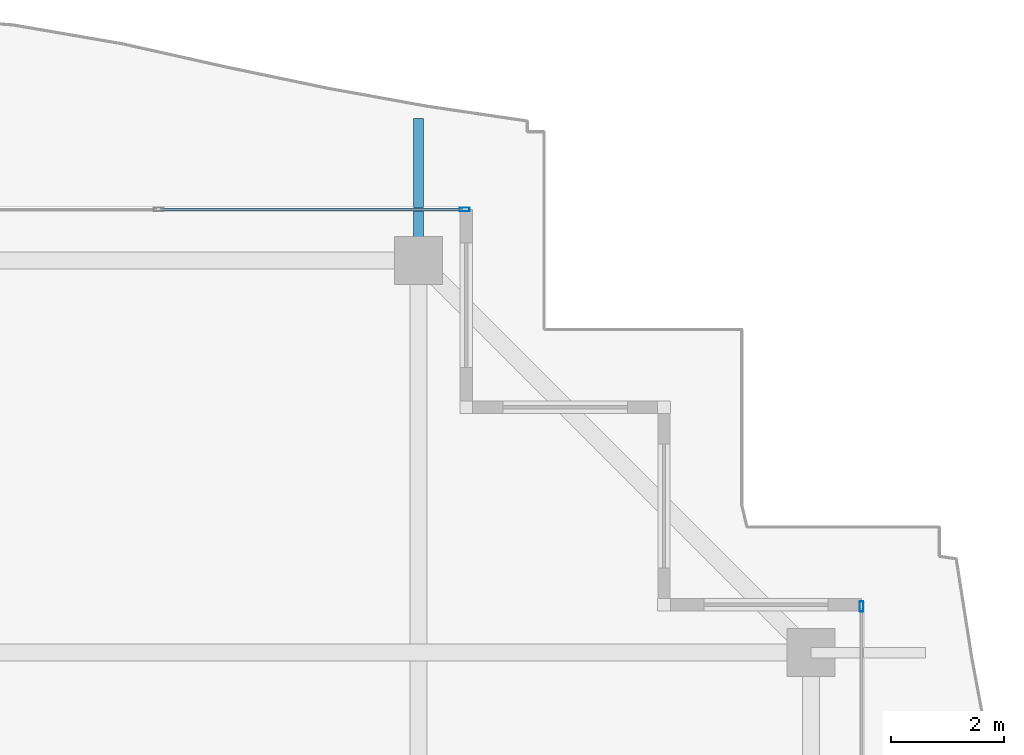
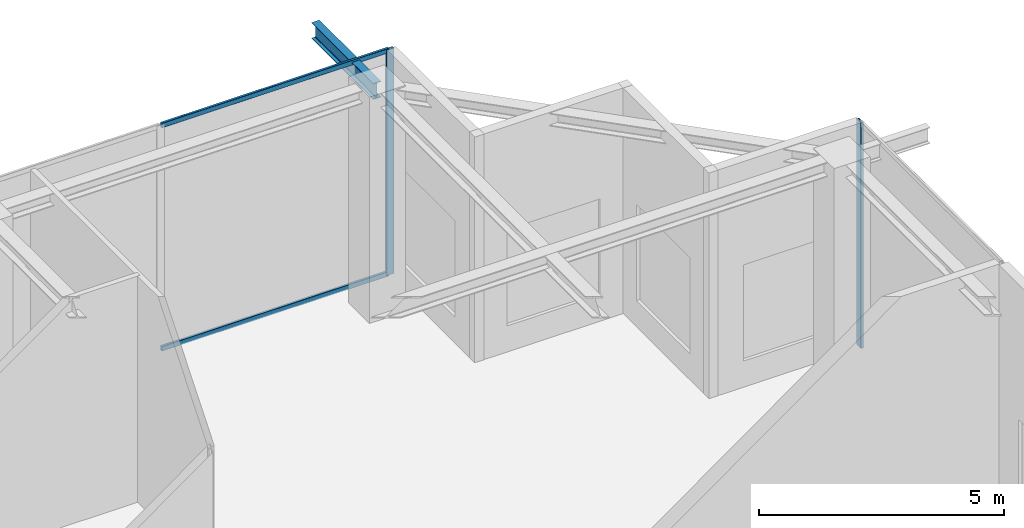
# One storey, part 25 of 40: 4 members, 1 beam, 2 elements without a shape of their own.
"""IFC4 building model written with IfcOpenShell, lengths in metres."""

from ifc_helpers import new_model, si_unit, direction, frame, origin, origin_2d, place, context, subcontext, project, spatial, hollow_rectangle, i_section, extrude, source, transform, mapped, material, layer, layer_set, material_profile, profile_set, type_object, element, aggregate, save


model = new_model("IFC4")

# Units and contexts
model_context = context("Model", 3, precision=1e-05, world=origin(), true_north=direction((0.0, 1.0)))
body_context = subcontext(model_context, "Body", "Model", "MODEL_VIEW")
ifc_project = project(units=[si_unit("LENGTHUNIT", "METRE"), si_unit("AREAUNIT", "SQUARE_METRE"), si_unit("VOLUMEUNIT", "CUBIC_METRE"), si_unit("PLANEANGLEUNIT", "RADIAN"), si_unit("MASSUNIT", "GRAM", prefix="KILO")], contexts=[model_context])

# Site, building, storey
site_placement = place(None, origin())
site = spatial("IfcSite", under=ifc_project, at=site_placement, CompositionType="ELEMENT")
building_placement = place(site_placement, origin())
building = spatial("IfcBuilding", under=site, at=building_placement, Name="Serunith Strait Residences", CompositionType="ELEMENT")
storey_placement = place(building_placement, frame((0.0, 0.0, 347.949951171875)))
storey = spatial("IfcBuildingStorey", under=building, at=storey_placement, Name="L86", CompositionType="ELEMENT", Elevation=347.949951171875)

# Beam
ifc_material_1 = material(Name="Steel S355J2", Category="steel")
ifc_material_profile_1 = material_profile(ifc_material_1, i_section(OverallWidth=0.179931640625, OverallDepth=0.39990234375, WebThickness=0.008544921875, FlangeThickness=0.013427734375, FilletRadius=0.02099609375, at=origin_2d()), Name="IPE 400")
ifc_profile_set_1 = profile_set([ifc_material_profile_1], Name="Steel S355J2")
beam_type = type_object("IfcBeamType", Name="BM-IPE400", PredefinedType="JOIST", material=ifc_profile_set_1)
shared_shape_1 = source(origin(), body_context, "Body", "SweptSolid", [
    extrude(i_section(OverallWidth=0.179931640625, OverallDepth=0.39990234375, WebThickness=0.008544921875, FlangeThickness=0.013427734375, FilletRadius=0.02099609375, at=origin_2d()), origin(), (0.0, 0.0, 1.0), 2.51025390625),
])
beam_placement = place(storey_placement, frame((46.14990234375, 45.5, 5.406982421875), z_axis=(0.0, 1.0, 0.0), x_axis=(-1.0, 0.0, 0.0)))
element("IfcBeam", 1, at=beam_placement, inside=storey, type_object=beam_type, Name="L87 Cantilevered Balcony Rib TC-N4", PredefinedType="JOIST", context=body_context, shape_type="MappedRepresentation", body=[
    mapped(shared_shape_1, transform((0.0, 0.0, 0.0), scale=1.0)),
])

# Curtain wall, members
ifc_material_2 = material(Name="Brushed Stainless-Silver Aluminium", Category="aluminium")
ifc_layer = layer(ifc_material_2, 0.199951171875, Name="Brushed Stainless-Silver Aluminium")
ifc_layer_set = layer_set([ifc_layer], Name="Brushed Stainless-Silver Aluminium")
curtain_wall_type = type_object("IfcCurtainWallType", Name="CW-SYS5", PredefinedType="NOTDEFINED", material=ifc_layer_set)
curtain_wall_1_placement = place(storey_placement, origin())
curtain_wall_1 = element("IfcCurtainWall", 2, at=curtain_wall_1_placement, inside=storey, type_object=curtain_wall_type, Name="L86 N Unitised Fritted Curtain Wall", PredefinedType="NOTDEFINED")
ifc_material_profile_2 = material_profile(ifc_material_2, hollow_rectangle(XDim=0.06005859375, YDim=0.1201171875, WallThickness=0.00341796875, InnerFilletRadius=0.00537109375, OuterFilletRadius=0.0087890625, at=origin_2d()), Name="ALU 120x60x3.5")
ifc_profile_set_2 = profile_set([ifc_material_profile_2], Name="Brushed Stainless-Silver Aluminium")
member_type_1 = type_object("IfcMemberType", Name="CW-SYS5-TRAN", PredefinedType="USERDEFINED", material=ifc_profile_set_2)
shared_shape_2 = source(origin(), body_context, "Body", "SweptSolid", [
    extrude(hollow_rectangle(XDim=0.06005859375, YDim=0.1201171875, WallThickness=0.00341796875, InnerFilletRadius=0.00537109375, OuterFilletRadius=0.0087890625, at=origin_2d()), origin(), (0.0, 0.0, 1.0), 5.3525390625),
])
member_1_placement = place(storey_placement, frame((46.93505859375, 46.39990234375, 0.030029296875), z_axis=(-1.0, 0.0, 0.0), x_axis=(0.0, -1.0, 0.0)))
member_1 = element("IfcMember", 3, at=member_1_placement, type_object=member_type_1, Name="CW-5 transom 1.1", ObjectType="TRANSOM", PredefinedType="USERDEFINED", context=body_context, shape_type="MappedRepresentation", body=[
    mapped(shared_shape_2, transform((0.0, 0.0, 0.0), scale=1.0)),
])
member_2_placement = place(storey_placement, frame((46.93505859375, 46.39990234375, 5.594970703125), z_axis=(-1.0, 0.0, 0.0), x_axis=(0.0, -1.0, 0.0)))
member_2 = element("IfcMember", 4, at=member_2_placement, type_object=member_type_1, Name="CW-5 transom 1.2", ObjectType="TRANSOM", PredefinedType="USERDEFINED", context=body_context, shape_type="MappedRepresentation", body=[
    mapped(shared_shape_2, transform((0.0, 0.0, 0.0), scale=1.0)),
])

# Curtain wall, member
curtain_wall_2_placement = place(storey_placement, origin())
curtain_wall_2 = element("IfcCurtainWall", 5, at=curtain_wall_2_placement, inside=storey, type_object=curtain_wall_type, Name="L86 E Unitised Fritted Curtain Wall", PredefinedType="NOTDEFINED")
ifc_material_profile_3 = material_profile(ifc_material_2, hollow_rectangle(XDim=0.06494140625, YDim=0.179931640625, WallThickness=0.00341796875, InnerFilletRadius=0.00537109375, OuterFilletRadius=0.0087890625, at=origin_2d()), Name="ALU 180x65x3.5")
ifc_profile_set_3 = profile_set([ifc_material_profile_3], Name="Brushed Stainless-Silver Aluminium")
member_type_2 = type_object("IfcMemberType", Name="CW-SYS5-MULL", PredefinedType="MULLION", material=ifc_profile_set_3)
shared_shape_3 = source(origin(), body_context, "Body", "SweptSolid", [
    extrude(hollow_rectangle(XDim=0.06494140625, YDim=0.179931640625, WallThickness=0.00341796875, InnerFilletRadius=0.00537109375, OuterFilletRadius=0.0087890625, at=origin_2d()), origin(), (0.0, 0.0, 1.0), 5.625),
])
member_3_placement = place(storey_placement, frame((54.0, 39.367431640625, 0.0), z_axis=(0.0, 0.0, 1.0), x_axis=(-1.0, 0.0, 0.0)))
member_3 = element("IfcMember", 6, at=member_3_placement, type_object=member_type_2, Name="CW-5 mullion 2", PredefinedType="MULLION", context=body_context, shape_type="MappedRepresentation", body=[
    mapped(shared_shape_3, transform((0.0, 0.0, 0.0), scale=1.0)),
])
aggregate(curtain_wall_2, [member_3])

# Member
member_4_placement = place(storey_placement, frame((46.967529296875, 46.39990234375, 0.0), z_axis=(0.0, 0.0, 1.0), x_axis=(0.0, -1.0, 0.0)))
member_4 = element("IfcMember", 7, at=member_4_placement, type_object=member_type_2, Name="CW-5 mullion 1", PredefinedType="MULLION", context=body_context, shape_type="MappedRepresentation", body=[
    mapped(shared_shape_3, transform((0.0, 0.0, 0.0), scale=1.0)),
])

aggregate(curtain_wall_1, [member_4, member_1, member_2])

save(model, "model.ifc")
